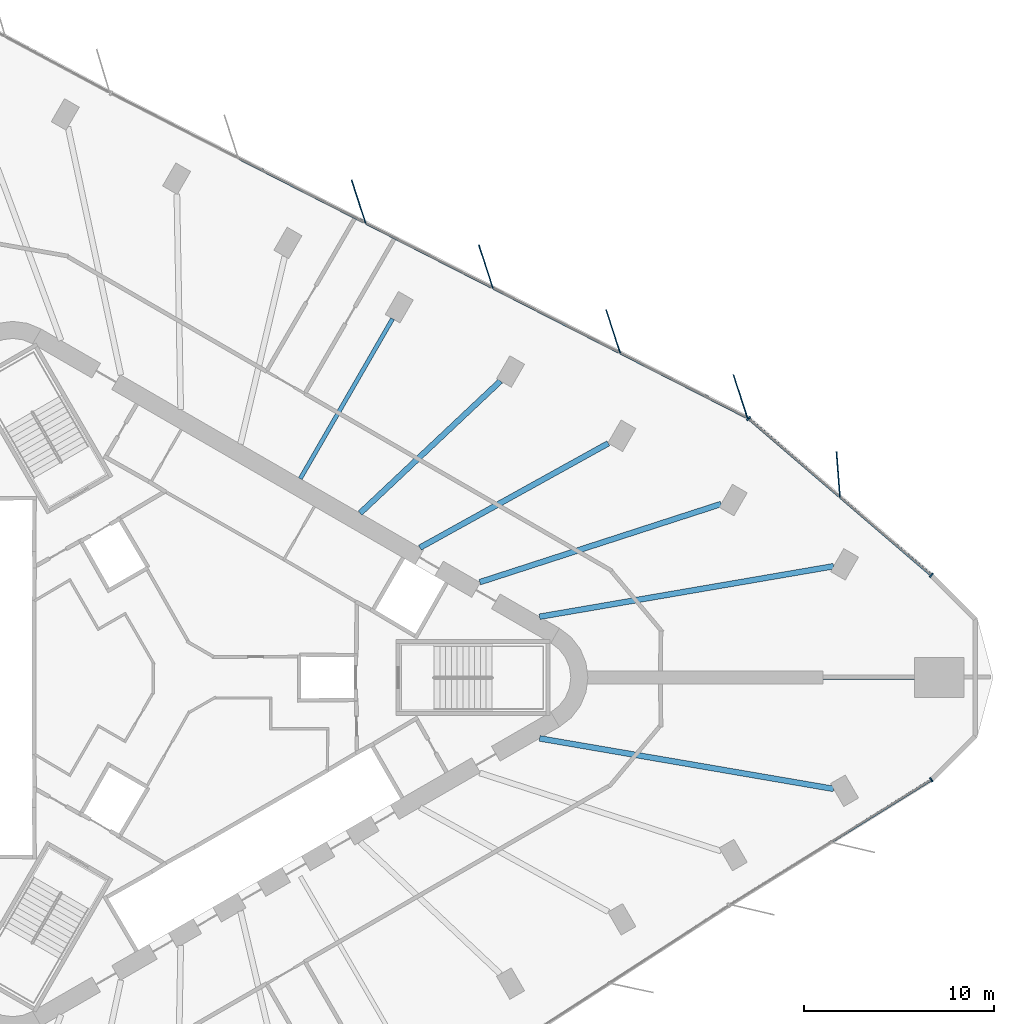
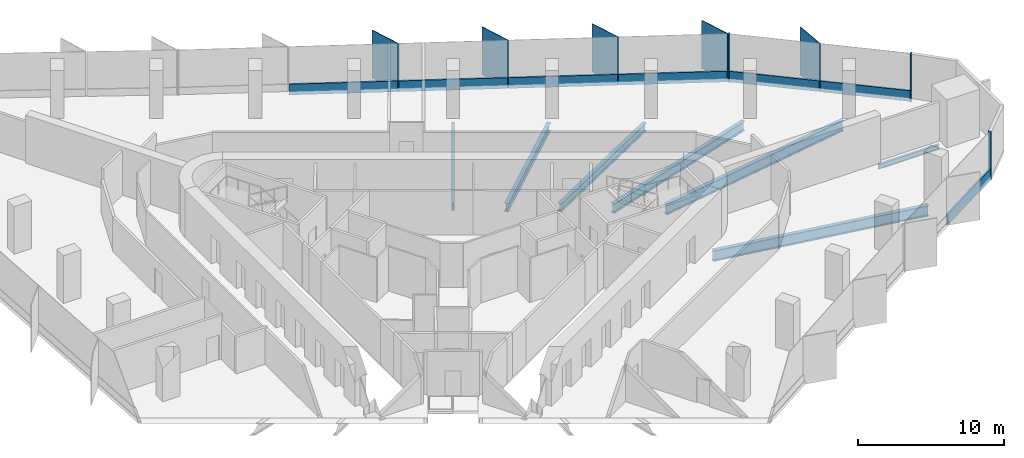
# One storey, part 5 of 13: 15 members, 7 beams, 3 elements without a shape of their own.
"""IFC4 building model written with IfcOpenShell, lengths in metres."""

from ifc_helpers import new_model, si_unit, direction, frame, origin, origin_2d, place, context, subcontext, project, spatial, rectangle, i_section, extrude, material, material_profile, profile_set, type_object, element, aggregate, save


model = new_model("IFC4")

# Units and contexts
model_context = context("Model", 3, precision=1e-05, world=origin(), true_north=direction((0.0, 1.0)))
body_context = subcontext(model_context, "Body", "Model", "MODEL_VIEW")
ifc_project = project(units=[si_unit("LENGTHUNIT", "METRE"), si_unit("AREAUNIT", "SQUARE_METRE"), si_unit("VOLUMEUNIT", "CUBIC_METRE"), si_unit("PLANEANGLEUNIT", "RADIAN"), si_unit("MASSUNIT", "GRAM", prefix="KILO")], contexts=[model_context])

# Site, building, storey
site_placement = place(None, origin())
site = spatial("IfcSite", under=ifc_project, at=site_placement, CompositionType="ELEMENT")
building_placement = place(site_placement, origin())
building = spatial("IfcBuilding", under=site, at=building_placement, Name="Tanit Gate Tower", CompositionType="ELEMENT")
storey_placement = place(building_placement, frame((0.0, 0.0, 177.199951171875)))
storey = spatial("IfcBuildingStorey", under=building, at=storey_placement, Name="L38", CompositionType="ELEMENT", Elevation=177.199951171875)

# Curtain wall, member
ifc_material_1 = material(Name="Aluminium bronze anodised and glass", Category="aluminium")
curtain_wall_type = type_object("IfcCurtainWallType", Name="Curtain wall typical mid", PredefinedType="NOTDEFINED", material=ifc_material_1)
curtain_wall_1_placement = place(storey_placement, origin())
curtain_wall_1 = element("IfcCurtainWall", 1, at=curtain_wall_1_placement, inside=storey, type_object=curtain_wall_type, Name="Curtain wall L38 NE1", PredefinedType="NOTDEFINED")
ifc_material_2 = material(Name="Aluminium bronze anodised", Category="aluminium")
ifc_material_profile_1 = material_profile(ifc_material_2, rectangle(XDim=2.39990234375, YDim=0.055908203125, at=origin_2d()), Name="56x2400 bronze fin mullion")
ifc_profile_set_1 = profile_set([ifc_material_profile_1], Name="Aluminium bronze anodised")
member_type_1 = type_object("IfcMemberType", Name="FIN MULLION 56x2400 bronze", PredefinedType="MULLION", material=ifc_profile_set_1)
member_1_placement = place(storey_placement, frame((34.385009765625, 10.6943359375, -0.300048828125), z_axis=(0.0, 0.0, 1.0), x_axis=(0.076470904404, -0.997071813251, 0.0)))
member_1 = element("IfcMember", 2, at=member_1_placement, type_object=member_type_1, Name="Fin mullion L38 NE1.2", PredefinedType="MULLION", context=body_context, shape_type="SweptSolid", body=[
    extrude(rectangle(XDim=2.39990234375, YDim=0.055908203125, at=origin_2d()), origin(), (0.0, 0.0, 1.0), 4.0),
])

# Curtain wall, members
curtain_wall_2_placement = place(storey_placement, origin())
curtain_wall_2 = element("IfcCurtainWall", 3, at=curtain_wall_2_placement, inside=storey, type_object=curtain_wall_type, Name="Curtain wall L38 NE2", PredefinedType="NOTDEFINED")
member_2_placement = place(storey_placement, frame((29.23388671875, 14.810546875, -0.300048828125), z_axis=(0.0, 0.0, 1.0), x_axis=(0.308568289465, -0.951202192353, 0.0)))
member_2 = element("IfcMember", 4, at=member_2_placement, type_object=member_type_1, Name="Fin mullion L38 NE2.1", PredefinedType="MULLION", context=body_context, shape_type="SweptSolid", body=[
    extrude(rectangle(XDim=2.39990234375, YDim=0.055908203125, at=origin_2d()), origin(), (0.0, 0.0, 1.0), 4.0),
])
member_3_placement = place(storey_placement, frame((22.530029296875, 18.23046875, -0.300048828125), z_axis=(0.0, 0.0, 1.0), x_axis=(0.308568289465, -0.951202192353, 0.0)))
member_3 = element("IfcMember", 5, at=member_3_placement, type_object=member_type_1, Name="Fin mullion L38 NE2.2", PredefinedType="MULLION", context=body_context, shape_type="SweptSolid", body=[
    extrude(rectangle(XDim=2.39990234375, YDim=0.055908203125, at=origin_2d()), origin(), (0.0, 0.0, 1.0), 4.0),
])
member_4_placement = place(storey_placement, frame((15.826171875, 21.650146484375, -0.300048828125), z_axis=(0.0, 0.0, 1.0), x_axis=(0.308568289465, -0.951202192353, 0.0)))
member_4 = element("IfcMember", 6, at=member_4_placement, type_object=member_type_1, Name="Fin mullion L38 NE2.3", PredefinedType="MULLION", context=body_context, shape_type="SweptSolid", body=[
    extrude(rectangle(XDim=2.39990234375, YDim=0.055908203125, at=origin_2d()), origin(), (0.0, 0.0, 1.0), 4.0),
])
member_5_placement = place(storey_placement, frame((9.1220703125, 25.070068359375, -0.300048828125), z_axis=(0.0, 0.0, 1.0), x_axis=(0.308568289465, -0.951202192353, 0.0)))
member_5 = element("IfcMember", 7, at=member_5_placement, type_object=member_type_1, Name="Fin mullion L38 NE2.4", PredefinedType="MULLION", context=body_context, shape_type="SweptSolid", body=[
    extrude(rectangle(XDim=2.39990234375, YDim=0.055908203125, at=origin_2d()), origin(), (0.0, 0.0, 1.0), 4.0),
])

# Member
ifc_material_3 = material(Name="Aluminium bronze anodised", Category="aluminium")
ifc_material_profile_2 = material_profile(ifc_material_3, rectangle(XDim=0.260009765625, YDim=0.080078125, at=origin_2d()), Name="80x260 bronze mullion")
ifc_profile_set_2 = profile_set([ifc_material_profile_2], Name="Aluminium bronze anodised")
member_type_2 = type_object("IfcMemberType", Name="Mullion 80x260 typical mid", PredefinedType="MULLION", material=ifc_profile_set_2)
member_6_placement = place(storey_placement, frame((39.28662109375, 5.39306640625, -0.300048828125), z_axis=(0.0, 0.0, 1.0), x_axis=(-0.650963145412, -0.759109335547, 0.0)))
member_6 = element("IfcMember", 8, at=member_6_placement, type_object=member_type_2, Name="Mullion L38 NE1.1", PredefinedType="MULLION", context=body_context, shape_type="SweptSolid", body=[
    extrude(rectangle(XDim=0.260009765625, YDim=0.080078125, at=origin_2d()), origin(), (0.0, 0.0, 1.0), 4.0),
])

member_7_placement = place(storey_placement, frame((29.66357421875, 13.645263671875, -0.300048828125), z_axis=(0.0, 0.0, 1.0), x_axis=(-0.650963145412, -0.759109335547, 0.0)))
member_7 = element("IfcMember", 9, at=member_7_placement, type_object=member_type_2, Name="Mullion L38 NE1.3", PredefinedType="MULLION", context=body_context, shape_type="SweptSolid", body=[
    extrude(rectangle(XDim=0.260009765625, YDim=0.080078125, at=origin_2d()), origin(), (0.0, 0.0, 1.0), 4.0),
])

# Curtain wall, member
curtain_wall_3_placement = place(storey_placement, origin())
curtain_wall_3 = element("IfcCurtainWall", 10, at=curtain_wall_3_placement, inside=storey, type_object=curtain_wall_type, Name="Curtain wall L38 SE3", PredefinedType="NOTDEFINED")
member_8_placement = place(storey_placement, frame((39.28955078125, -5.381591796875, -0.300048828125), z_axis=(0.0, 0.0, 1.0), x_axis=(-0.527101844908, 0.84980212114, 0.0)))
member_8 = element("IfcMember", 11, at=member_8_placement, type_object=member_type_2, Name="Mullion L38 SE3.3", PredefinedType="MULLION", context=body_context, shape_type="SweptSolid", body=[
    extrude(rectangle(XDim=0.260009765625, YDim=0.080078125, at=origin_2d()), origin(), (0.0, 0.0, 1.0), 4.0),
])

# Beams
ifc_material_4 = material(Name="Steel S355", Category="steel")
ifc_material_profile_3 = material_profile(ifc_material_4, i_section(OverallWidth=0.300048828125, OverallDepth=0.68994140625, WebThickness=0.014404296875, FlangeThickness=0.027099609375, FilletRadius=0.027099609375, at=origin_2d()), Name="HEA 700")
ifc_profile_set_3 = profile_set([ifc_material_profile_3], Name="Steel S355")
beam_type_1 = type_object("IfcBeamType", Name="RADIAL GIRDER HEA 700 S355", PredefinedType="BEAM", material=ifc_profile_set_3)
beam_1_placement = place(storey_placement, frame((22.27490234375, 12.339111328125, -0.64501953125), z_axis=(-0.874754584169, -0.484566215781, 0.0), x_axis=(0.484566215781, -0.874754584169, 0.0)))
element("IfcBeam", 12, at=beam_1_placement, inside=storey, type_object=beam_type_1, Name="RADIAL GIRDER", PredefinedType="BEAM", context=body_context, shape_type="SweptSolid", body=[
    extrude(i_section(OverallWidth=0.300048828125, OverallDepth=0.68994140625, WebThickness=0.014404296875, FlangeThickness=0.027099609375, FilletRadius=0.027099609375, at=origin_2d()), origin(), (0.0, 0.0, 1.0), 11.34326171875),
])
beam_2_placement = place(storey_placement, frame((16.593505859375, 15.619384765625, -0.64501953125), z_axis=(-0.728163982775, -0.685402957529, 0.0), x_axis=(0.685402957529, -0.728163982775, 0.0)))
element("IfcBeam", 13, at=beam_2_placement, inside=storey, type_object=beam_type_1, Name="RADIAL GIRDER", PredefinedType="BEAM", context=body_context, shape_type="SweptSolid", body=[
    extrude(i_section(OverallWidth=0.300048828125, OverallDepth=0.68994140625, WebThickness=0.014404296875, FlangeThickness=0.027099609375, FilletRadius=0.027099609375, at=origin_2d()), origin(), (0.0, 0.0, 1.0), 10.1513671875),
])
ifc_material_5 = material(Name="Steel S355", Category="steel")
ifc_material_profile_4 = material_profile(ifc_material_5, i_section(OverallWidth=0.300048828125, OverallDepth=0.7900390625, WebThickness=0.014892578125, FlangeThickness=0.028076171875, FilletRadius=0.030029296875, at=origin_2d()), Name="HEA 800")
ifc_profile_set_4 = profile_set([ifc_material_profile_4], Name="Steel S355")
beam_type_2 = type_object("IfcBeamType", Name="RADIAL GIRDER HEA 800 S355", PredefinedType="BEAM", material=ifc_profile_set_4)
beam_3_placement = place(storey_placement, frame((28.214111328125, 9.142333984375, -0.695068359375), z_axis=(-0.951302925208, -0.308257594376, 0.0), x_axis=(0.308257594376, -0.951302925208, 0.0)))
element("IfcBeam", 14, at=beam_3_placement, inside=storey, type_object=beam_type_2, Name="RADIAL GIRDER", PredefinedType="BEAM", context=body_context, shape_type="SweptSolid", body=[
    extrude(i_section(OverallWidth=0.300048828125, OverallDepth=0.7900390625, WebThickness=0.014892578125, FlangeThickness=0.028076171875, FilletRadius=0.030029296875, at=origin_2d()), origin(), (0.0, 0.0, 1.0), 13.36181640625),
])
ifc_material_6 = material(Name="Steel S355", Category="steel")
ifc_material_profile_5 = material_profile(ifc_material_6, i_section(OverallWidth=0.300048828125, OverallDepth=0.889892578125, WebThickness=0.01611328125, FlangeThickness=0.030029296875, FilletRadius=0.030029296875, at=origin_2d()), Name="HEA 900")
ifc_profile_set_5 = profile_set([ifc_material_profile_5], Name="Steel S355")
beam_type_3 = type_object("IfcBeamType", Name="RADIAL GIRDER HEA 900 S355", PredefinedType="BEAM", material=ifc_profile_set_5)
for number, where, z_axis, x_axis, name in (
    (15, (34.140380859375, -5.864990234375, -0.744873046875), (-0.98556327475, 0.169307505635, 0.0), (-0.169307505635, -0.98556327475, 0.0), "RADIAL GIRDER"),
    (16, (34.140380859375, 5.864990234375, -0.744873046875), (-0.98556327475, -0.169307505635, 0.0), (0.169307505635, -0.98556327475, 0.0), "RADIAL GIRDER"),
):
    element("IfcBeam", number, at=place(storey_placement, frame(where, z_axis=z_axis, x_axis=x_axis)), inside=storey, type_object=beam_type_3, Name=name, PredefinedType="BEAM", context=body_context, shape_type="SweptSolid", body=[
        extrude(i_section(OverallWidth=0.300048828125, OverallDepth=0.889892578125, WebThickness=0.01611328125, FlangeThickness=0.030029296875, FilletRadius=0.030029296875, at=origin_2d()), origin(), (0.0, 0.0, 1.0), 15.71337890625),
    ])
ifc_material_7 = material(Name="Steel S355", Category="steel")
ifc_material_profile_6 = material_profile(ifc_material_7, i_section(OverallWidth=0.179931640625, OverallDepth=0.39990234375, WebThickness=0.008544921875, FlangeThickness=0.013427734375, FilletRadius=0.02099609375, at=origin_2d()), Name="IPE 400")
ifc_profile_set_6 = profile_set([ifc_material_profile_6], Name="Steel S355")
beam_type_4 = type_object("IfcBeamType", Name="RADIAL GIRDER IPE 400 S355", PredefinedType="BEAM", material=ifc_profile_set_6)
beam_4_placement = place(storey_placement, frame((38.398193359375, 0.0, -0.5), z_axis=(-1.0, 0.0, 0.0), x_axis=(0.0, -1.0, 0.0)))
element("IfcBeam", 17, at=beam_4_placement, inside=storey, type_object=beam_type_4, Name="RADIAL GIRDER", PredefinedType="BEAM", context=body_context, shape_type="SweptSolid", body=[
    extrude(i_section(OverallWidth=0.179931640625, OverallDepth=0.39990234375, WebThickness=0.008544921875, FlangeThickness=0.013427734375, FilletRadius=0.02099609375, at=origin_2d()), origin(), (0.0, 0.0, 1.0), 4.815673828125),
])
ifc_material_8 = material(Name="Steel S355", Category="steel")
ifc_material_profile_7 = material_profile(ifc_material_8, i_section(OverallWidth=0.219970703125, OverallDepth=0.60009765625, WebThickness=0.011962890625, FlangeThickness=0.01904296875, FilletRadius=0.02392578125, at=origin_2d()), Name="IPE 600")
ifc_profile_set_7 = profile_set([ifc_material_profile_7], Name="Steel S355")
beam_type_5 = type_object("IfcBeamType", Name="RADIAL GIRDER IPE 600 S355", PredefinedType="BEAM", material=ifc_profile_set_7)
beam_5_placement = place(storey_placement, frame((10.911865234375, 18.89990234375, -0.599853515625), z_axis=(-0.500001430823, -0.866024577697, 0.0), x_axis=(0.866024577697, -0.500001430823, 0.0)))
element("IfcBeam", 18, at=beam_5_placement, inside=storey, type_object=beam_type_5, Name="RADIAL GIRDER", PredefinedType="BEAM", context=body_context, shape_type="SweptSolid", body=[
    extrude(i_section(OverallWidth=0.219970703125, OverallDepth=0.60009765625, WebThickness=0.011962890625, FlangeThickness=0.01904296875, FilletRadius=0.02392578125, at=origin_2d()), origin(), (0.0, 0.0, 1.0), 9.7216796875),
])

# Member
ifc_material_9 = material(Name="Aluminium bronze anodised", Category="aluminium")
ifc_material_profile_8 = material_profile(ifc_material_9, rectangle(XDim=0.139892578125, YDim=0.89990234375, at=origin_2d()), Name="140x900 bronze transom")
ifc_profile_set_8 = profile_set([ifc_material_profile_8], Name="Aluminium bronze anodised")
member_type_3 = type_object("IfcMemberType", Name="Transom 140x900 typical mid", PredefinedType="USERDEFINED", material=ifc_profile_set_8)
member_9_placement = place(storey_placement, frame((39.256103515625, 5.419189453125, 0.150146484375), z_axis=(-0.759105129314, 0.650968050406, 0.0), x_axis=(-0.650968050406, -0.759105129314, 0.0)))
member_9 = element("IfcMember", 19, at=member_9_placement, type_object=member_type_3, Name="Transom L38 NE1.1", ObjectType="TRANSOM", PredefinedType="USERDEFINED", context=body_context, shape_type="SweptSolid", body=[
    extrude(rectangle(XDim=0.139892578125, YDim=0.89990234375, at=origin_2d()), origin(), (0.0, 0.0, 1.0), 6.25830078125),
])

member_10_placement = place(storey_placement, frame((34.444580078125, 9.545166015625, 0.150146484375), z_axis=(-0.759105129314, 0.650968050406, 0.0), x_axis=(-0.650968050406, -0.759105129314, 0.0)))
member_10 = element("IfcMember", 20, at=member_10_placement, type_object=member_type_3, Name="Transom L38 NE1.2", ObjectType="TRANSOM", PredefinedType="USERDEFINED", context=body_context, shape_type="SweptSolid", body=[
    extrude(rectangle(XDim=0.139892578125, YDim=0.89990234375, at=origin_2d()), origin(), (0.0, 0.0, 1.0), 6.25830078125),
])

aggregate(curtain_wall_1, [member_6, member_1, member_7, member_9, member_10])

member_11_placement = place(storey_placement, frame((29.56201171875, 13.70751953125, 0.150146484375), z_axis=(-0.890791394597, 0.454412468261, 0.0), x_axis=(-0.454412468261, -0.890791394597, 0.0)))
member_11 = element("IfcMember", 21, at=member_11_placement, type_object=member_type_3, Name="Transom L38 NE2.1", ObjectType="TRANSOM", PredefinedType="USERDEFINED", context=body_context, shape_type="SweptSolid", body=[
    extrude(rectangle(XDim=0.139892578125, YDim=0.89990234375, at=origin_2d()), origin(), (0.0, 0.0, 1.0), 7.446044921875),
])

member_12_placement = place(storey_placement, frame((22.85791015625, 17.12744140625, 0.150146484375), z_axis=(-0.890797896574, 0.454399722116, 0.0), x_axis=(-0.454399722116, -0.890797896574, 0.0)))
member_12 = element("IfcMember", 22, at=member_12_placement, type_object=member_type_3, Name="Transom L38 NE2.2", ObjectType="TRANSOM", PredefinedType="USERDEFINED", context=body_context, shape_type="SweptSolid", body=[
    extrude(rectangle(XDim=0.139892578125, YDim=0.89990234375, at=origin_2d()), origin(), (0.0, 0.0, 1.0), 7.445556640625),
])

member_13_placement = place(storey_placement, frame((16.154052734375, 20.547119140625, 0.150146484375), z_axis=(-0.890784623831, 0.45442574085, 0.0), x_axis=(-0.45442574085, -0.890784623831, 0.0)))
member_13 = element("IfcMember", 23, at=member_13_placement, type_object=member_type_3, Name="Transom L38 NE2.3", ObjectType="TRANSOM", PredefinedType="USERDEFINED", context=body_context, shape_type="SweptSolid", body=[
    extrude(rectangle(XDim=0.139892578125, YDim=0.89990234375, at=origin_2d()), origin(), (0.0, 0.0, 1.0), 7.44580078125),
])

member_14_placement = place(storey_placement, frame((9.4501953125, 23.967041015625, 0.150146484375), z_axis=(-0.890797896574, 0.454399722116, 0.0), x_axis=(-0.454399722116, -0.890797896574, 0.0)))
member_14 = element("IfcMember", 24, at=member_14_placement, type_object=member_type_3, Name="Transom L38 NE2.4", ObjectType="TRANSOM", PredefinedType="USERDEFINED", context=body_context, shape_type="SweptSolid", body=[
    extrude(rectangle(XDim=0.139892578125, YDim=0.89990234375, at=origin_2d()), origin(), (0.0, 0.0, 1.0), 7.445556640625),
])

aggregate(curtain_wall_2, [member_2, member_3, member_4, member_5, member_11, member_12, member_13, member_14])

member_15_placement = place(storey_placement, frame((34.024658203125, -8.647216796875, 0.150146484375), z_axis=(0.849787210974, 0.52712588256, 0.0), x_axis=(-0.52712588256, 0.849787210974, 0.0)))
member_15 = element("IfcMember", 25, at=member_15_placement, type_object=member_type_3, Name="Transom L38 SE3.2", ObjectType="TRANSOM", PredefinedType="USERDEFINED", context=body_context, shape_type="SweptSolid", body=[
    extrude(rectangle(XDim=0.139892578125, YDim=0.89990234375, at=origin_2d()), origin(), (0.0, 0.0, 1.0), 6.1552734375),
])

aggregate(curtain_wall_3, [member_8, member_15])

save(model, "model.ifc")
